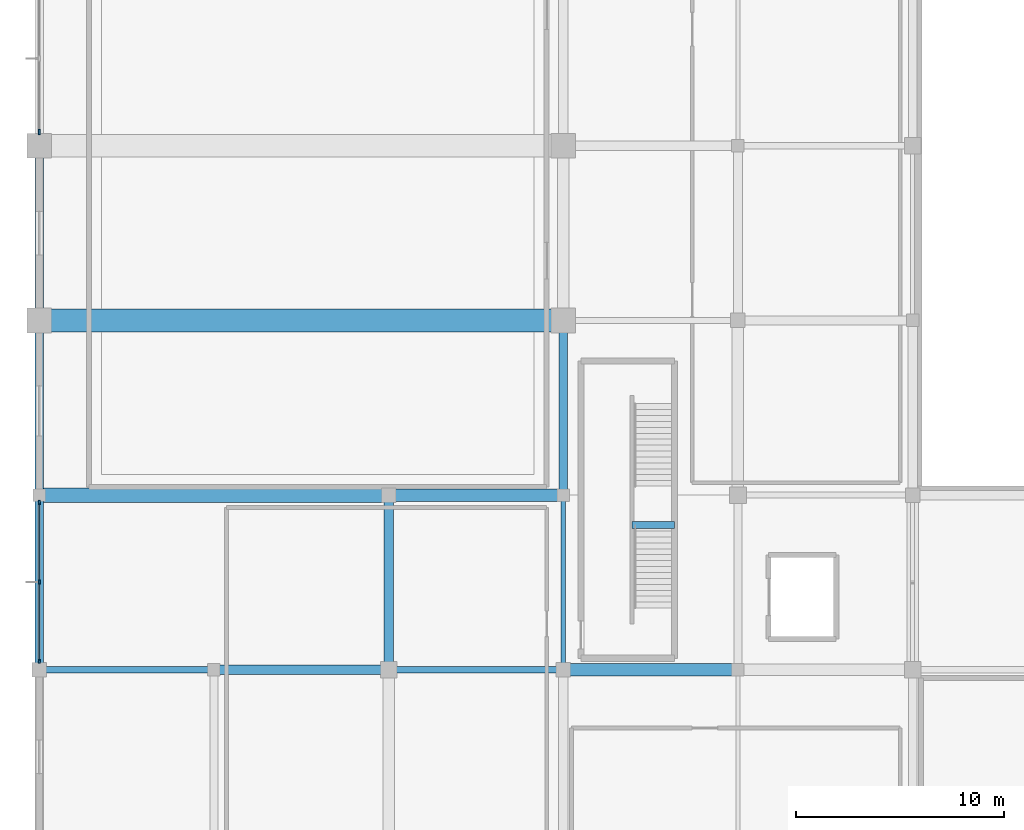
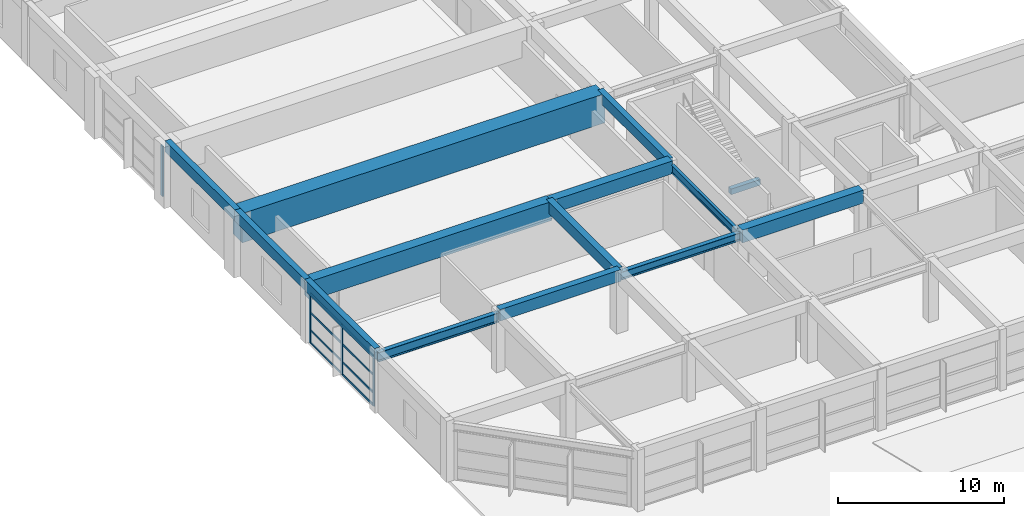
# One storey, part 11 of 60: 14 beams, 12 members, 2 elements without a shape of their own.
"""IFC4 building model written with IfcOpenShell, lengths in metres."""

from ifc_helpers import new_model, si_unit, direction, frame, origin, origin_2d, place, context, subcontext, project, spatial, rectangle, i_section, extrude, material, material_profile, profile_set, type_object, element, aggregate, save


model = new_model("IFC4")

# Units and contexts
model_context = context("Model", 3, precision=1e-05, world=origin(), true_north=direction((0.0, 1.0)))
body_context = subcontext(model_context, "Body", "Model", "MODEL_VIEW")
ifc_project = project(units=[si_unit("LENGTHUNIT", "METRE"), si_unit("AREAUNIT", "SQUARE_METRE"), si_unit("VOLUMEUNIT", "CUBIC_METRE"), si_unit("PLANEANGLEUNIT", "RADIAN"), si_unit("MASSUNIT", "GRAM", prefix="KILO")], contexts=[model_context])

# Site, building, storey
site_placement = place(None, origin())
site = spatial("IfcSite", under=ifc_project, at=site_placement, CompositionType="ELEMENT")
building_placement = place(site_placement, origin())
building = spatial("IfcBuilding", under=site, at=building_placement, Name="Xuanlan Plaza Opera House", CompositionType="ELEMENT")
storey_placement = place(building_placement, frame((0.0, 0.0, 9.89990234375)))
storey = spatial("IfcBuildingStorey", under=building, at=storey_placement, Name="L02", CompositionType="ELEMENT", Elevation=9.89990234375)

# Curtain wall, members
ifc_material_1 = material(Name="Anodised Aluminium 6063-T6 and Low-E Glass", Category="aluminium")
curtain_wall_type_1 = type_object("IfcCurtainWallType", Name="ENV-CW-CW-02", PredefinedType="USERDEFINED", material=ifc_material_1)
curtain_wall_1_placement = place(storey_placement, origin())
curtain_wall_1 = element("IfcCurtainWall", 1, at=curtain_wall_1_placement, inside=storey, type_object=curtain_wall_type_1, Name="Unitised Curtain Wall L02-054", ObjectType="UNITISED CURTAIN WALL", PredefinedType="USERDEFINED")
ifc_material_2 = material(Name="Anodised Aluminium 6063-T6", Category="aluminium")
ifc_material_profile_1 = material_profile(ifc_material_2, rectangle(XDim=0.074951171875, YDim=0.199951171875, at=origin_2d()), Name="ALU-M 75x200")
ifc_profile_set_1 = profile_set([ifc_material_profile_1], Name="Anodised Aluminium 6063-T6")
member_type_1 = type_object("IfcMemberType", Name="ENV-CWM-03", PredefinedType="MULLION", material=ifc_profile_set_1)
member_1_placement = place(storey_placement, frame((0.0, 41.642578125, 0.0), z_axis=(0.0, 0.0, 1.0), x_axis=(1.0, 0.0, 0.0)))
member_1 = element("IfcMember", 2, at=member_1_placement, type_object=member_type_1, Name="CW-02 mullion 1", PredefinedType="MULLION", context=body_context, shape_type="SweptSolid", body=[
    extrude(rectangle(XDim=0.074951171875, YDim=0.199951171875, at=origin_2d()), origin(), (0.0, 0.0, 1.0), 3.68017578125),
])
member_2_placement = place(storey_placement, frame((0.0, 37.824951171875, 0.0), z_axis=(0.0, 0.0, 1.0), x_axis=(1.0, 0.0, 0.0)))
member_2 = element("IfcMember", 3, at=member_2_placement, type_object=member_type_1, Name="CW-02 mullion 2", PredefinedType="MULLION", context=body_context, shape_type="SweptSolid", body=[
    extrude(rectangle(XDim=0.074951171875, YDim=0.199951171875, at=origin_2d()), origin(), (0.0, 0.0, 1.0), 3.68017578125),
])
member_3_placement = place(storey_placement, frame((0.0, 34.007568359375, 0.0), z_axis=(0.0, 0.0, 1.0), x_axis=(1.0, 0.0, 0.0)))
member_3 = element("IfcMember", 4, at=member_3_placement, type_object=member_type_1, Name="CW-02 mullion 3", PredefinedType="MULLION", context=body_context, shape_type="SweptSolid", body=[
    extrude(rectangle(XDim=0.074951171875, YDim=0.199951171875, at=origin_2d()), origin(), (0.0, 0.0, 1.0), 3.68017578125),
])

# Curtain wall, member
curtain_wall_type_2 = type_object("IfcCurtainWallType", Name="ENV-CW-CW-03", PredefinedType="USERDEFINED", material=ifc_material_1)
curtain_wall_2_placement = place(storey_placement, origin())
curtain_wall_2 = element("IfcCurtainWall", 5, at=curtain_wall_2_placement, inside=storey, type_object=curtain_wall_type_2, Name="Unitised Curtain Wall L02-051", ObjectType="UNITISED CURTAIN WALL", PredefinedType="USERDEFINED")
ifc_material_profile_2 = material_profile(ifc_material_2, rectangle(XDim=0.090087890625, YDim=0.25, at=origin_2d()), Name="ALU-M 90x250")
ifc_profile_set_2 = profile_set([ifc_material_profile_2], Name="Anodised Aluminium 6063-T6")
member_type_2 = type_object("IfcMemberType", Name="ENV-CWM-05", PredefinedType="MULLION", material=ifc_profile_set_2)
member_4_placement = place(storey_placement, frame((0.0, 59.465087890625, 0.0), z_axis=(0.0, 0.0, 1.0), x_axis=(1.0, 0.0, 0.0)))
member_4 = element("IfcMember", 6, at=member_4_placement, type_object=member_type_2, Name="CW-03 mullion 3", PredefinedType="MULLION", context=body_context, shape_type="SweptSolid", body=[
    extrude(rectangle(XDim=0.090087890625, YDim=0.25, at=origin_2d()), origin(), (0.0, 0.0, 1.0), 3.68017578125),
])
aggregate(curtain_wall_2, [member_4])

# Member
ifc_material_profile_3 = material_profile(ifc_material_2, rectangle(XDim=0.070068359375, YDim=0.135009765625, at=origin_2d()), Name="ALU-T 70x135")
ifc_profile_set_3 = profile_set([ifc_material_profile_3], Name="Anodised Aluminium 6063-T6")
member_type_3 = type_object("IfcMemberType", Name="ENV-CWT-02", PredefinedType="USERDEFINED", material=ifc_profile_set_3)
member_5_placement = place(storey_placement, frame((0.0, 41.60498046875, 0.03515625), z_axis=(0.0, -1.0, 0.0), x_axis=(1.0, 0.0, 0.0)))
member_5 = element("IfcMember", 7, at=member_5_placement, type_object=member_type_3, Name="CW-02 transom 1.1", ObjectType="TRANSOM", PredefinedType="USERDEFINED", context=body_context, shape_type="SweptSolid", body=[
    extrude(rectangle(XDim=0.070068359375, YDim=0.135009765625, at=origin_2d()), origin(), (0.0, 0.0, 1.0), 3.742431640625),
])

member_6_placement = place(storey_placement, frame((0.0, 41.60498046875, 0.9501953125), z_axis=(0.0, -1.0, 0.0), x_axis=(1.0, 0.0, 0.0)))
member_6 = element("IfcMember", 8, at=member_6_placement, type_object=member_type_3, Name="CW-02 transom 1.2", ObjectType="TRANSOM", PredefinedType="USERDEFINED", context=body_context, shape_type="SweptSolid", body=[
    extrude(rectangle(XDim=0.070068359375, YDim=0.135009765625, at=origin_2d()), origin(), (0.0, 0.0, 1.0), 3.742431640625),
])

member_7_placement = place(storey_placement, frame((0.0, 41.60498046875, 2.25), z_axis=(0.0, -1.0, 0.0), x_axis=(1.0, 0.0, 0.0)))
member_7 = element("IfcMember", 9, at=member_7_placement, type_object=member_type_3, Name="CW-02 transom 1.3", ObjectType="TRANSOM", PredefinedType="USERDEFINED", context=body_context, shape_type="SweptSolid", body=[
    extrude(rectangle(XDim=0.070068359375, YDim=0.135009765625, at=origin_2d()), origin(), (0.0, 0.0, 1.0), 3.742431640625),
])

member_8_placement = place(storey_placement, frame((0.0, 41.60498046875, 3.64501953125), z_axis=(0.0, -1.0, 0.0), x_axis=(1.0, 0.0, 0.0)))
member_8 = element("IfcMember", 10, at=member_8_placement, type_object=member_type_3, Name="CW-02 transom 1.4", ObjectType="TRANSOM", PredefinedType="USERDEFINED", context=body_context, shape_type="SweptSolid", body=[
    extrude(rectangle(XDim=0.070068359375, YDim=0.135009765625, at=origin_2d()), origin(), (0.0, 0.0, 1.0), 3.742431640625),
])

member_9_placement = place(storey_placement, frame((0.0, 37.78759765625, 0.03515625), z_axis=(0.0, -1.0, 0.0), x_axis=(1.0, 0.0, 0.0)))
member_9 = element("IfcMember", 11, at=member_9_placement, type_object=member_type_3, Name="CW-02 transom 2.1", ObjectType="TRANSOM", PredefinedType="USERDEFINED", context=body_context, shape_type="SweptSolid", body=[
    extrude(rectangle(XDim=0.070068359375, YDim=0.135009765625, at=origin_2d()), origin(), (0.0, 0.0, 1.0), 3.74267578125),
])

member_10_placement = place(storey_placement, frame((0.0, 37.78759765625, 0.9501953125), z_axis=(0.0, -1.0, 0.0), x_axis=(1.0, 0.0, 0.0)))
member_10 = element("IfcMember", 12, at=member_10_placement, type_object=member_type_3, Name="CW-02 transom 2.2", ObjectType="TRANSOM", PredefinedType="USERDEFINED", context=body_context, shape_type="SweptSolid", body=[
    extrude(rectangle(XDim=0.070068359375, YDim=0.135009765625, at=origin_2d()), origin(), (0.0, 0.0, 1.0), 3.74267578125),
])

member_11_placement = place(storey_placement, frame((0.0, 37.78759765625, 2.25), z_axis=(0.0, -1.0, 0.0), x_axis=(1.0, 0.0, 0.0)))
member_11 = element("IfcMember", 13, at=member_11_placement, type_object=member_type_3, Name="CW-02 transom 2.3", ObjectType="TRANSOM", PredefinedType="USERDEFINED", context=body_context, shape_type="SweptSolid", body=[
    extrude(rectangle(XDim=0.070068359375, YDim=0.135009765625, at=origin_2d()), origin(), (0.0, 0.0, 1.0), 3.74267578125),
])

member_12_placement = place(storey_placement, frame((0.0, 37.78759765625, 3.64501953125), z_axis=(0.0, -1.0, 0.0), x_axis=(1.0, 0.0, 0.0)))
member_12 = element("IfcMember", 14, at=member_12_placement, type_object=member_type_3, Name="CW-02 transom 2.4", ObjectType="TRANSOM", PredefinedType="USERDEFINED", context=body_context, shape_type="SweptSolid", body=[
    extrude(rectangle(XDim=0.070068359375, YDim=0.135009765625, at=origin_2d()), origin(), (0.0, 0.0, 1.0), 3.74267578125),
])

aggregate(curtain_wall_1, [member_1, member_2, member_3, member_5, member_6, member_7, member_8, member_9, member_10, member_11, member_12])

# Beams
ifc_material_3 = material(Name="Concrete C50", Category="concrete")
ifc_material_profile_4 = material_profile(ifc_material_3, rectangle(XDim=0.60009765625, YDim=0.949951171875, at=origin_2d()), Name="RC-BM 600x950")
ifc_profile_set_4 = profile_set([ifc_material_profile_4], Name="Concrete C50")
beam_type_1 = type_object("IfcBeamType", Name="STR-BM-B-01", PredefinedType="BEAM", material=ifc_profile_set_4)
beam_1_placement = place(storey_placement, frame((25.199951171875, 33.60009765625, 4.025146484375), z_axis=(1.0, 0.0, 0.0), x_axis=(0.0, 1.0, 0.0)))
element("IfcBeam", 15, at=beam_1_placement, inside=storey, type_object=beam_type_1, Name="Grid Beam X L02 4-5/E", PredefinedType="BEAM", context=body_context, shape_type="SweptSolid", body=[
    extrude(rectangle(XDim=0.60009765625, YDim=0.949951171875, at=origin_2d()), origin(), (0.0, 0.0, 1.0), 8.400146484375),
])
beam_2_placement = place(storey_placement, frame((16.800048828125, 42.0, 4.025146484375), z_axis=(1.0, 0.0, 0.0), x_axis=(0.0, 1.0, 0.0)))
element("IfcBeam", 16, at=beam_2_placement, inside=storey, type_object=beam_type_1, Name="Grid Beam X L02 3-4/F", PredefinedType="BEAM", context=body_context, shape_type="SweptSolid", body=[
    extrude(rectangle(XDim=0.60009765625, YDim=0.949951171875, at=origin_2d()), origin(), (0.0, 0.0, 1.0), 8.39990234375),
])
ifc_material_4 = material(Name="Concrete C40", Category="concrete")
ifc_material_profile_5 = material_profile(ifc_material_4, rectangle(XDim=0.449951171875, YDim=0.85009765625, at=origin_2d()), Name="RC-BM 450x850")
ifc_profile_set_5 = profile_set([ifc_material_profile_5], Name="Concrete C40")
beam_type_2 = type_object("IfcBeamType", Name="STR-BM-B-04", PredefinedType="BEAM", material=ifc_profile_set_5)
beam_3_placement = place(storey_placement, frame((8.39990234375, 33.60009765625, 4.0751953125), z_axis=(1.0, 0.0, 0.0), x_axis=(0.0, 1.0, 0.0)))
element("IfcBeam", 17, at=beam_3_placement, inside=storey, type_object=beam_type_2, Name="Grid Beam X L02 2-3/E", PredefinedType="BEAM", context=body_context, shape_type="SweptSolid", body=[
    extrude(rectangle(XDim=0.449951171875, YDim=0.85009765625, at=origin_2d()), origin(), (0.0, 0.0, 1.0), 8.400146484375),
])
beam_4_placement = place(storey_placement, frame((16.800048828125, 33.60009765625, 4.0751953125), z_axis=(0.0, 1.0, 0.0), x_axis=(-1.0, 0.0, 0.0)))
element("IfcBeam", 18, at=beam_4_placement, inside=storey, type_object=beam_type_2, Name="Grid Beam Y L02 3/E-F", PredefinedType="BEAM", context=body_context, shape_type="SweptSolid", body=[
    extrude(rectangle(XDim=0.449951171875, YDim=0.85009765625, at=origin_2d()), origin(), (0.0, 0.0, 1.0), 8.39990234375),
])
ifc_material_profile_6 = material_profile(ifc_material_4, rectangle(XDim=0.39990234375, YDim=0.75, at=origin_2d()), Name="RC-BM 400x750")
ifc_profile_set_6 = profile_set([ifc_material_profile_6], Name="Concrete C40")
beam_type_3 = type_object("IfcBeamType", Name="STR-BM-B-06", PredefinedType="BEAM", material=ifc_profile_set_6)
beam_5_placement = place(storey_placement, frame((25.199951171875, 42.0, 4.125), z_axis=(0.0, 1.0, 0.0), x_axis=(-1.0, 0.0, 0.0)))
element("IfcBeam", 19, at=beam_5_placement, inside=storey, type_object=beam_type_3, Name="Grid Beam Y L02 4/F-G", PredefinedType="BEAM", context=body_context, shape_type="SweptSolid", body=[
    extrude(rectangle(XDim=0.39990234375, YDim=0.75, at=origin_2d()), origin(), (0.0, 0.0, 1.0), 8.39990234375),
])
ifc_material_profile_7 = material_profile(ifc_material_3, rectangle(XDim=0.699951171875, YDim=1.39990234375, at=origin_2d()), Name="RC-LG 700x1400")
ifc_profile_set_7 = profile_set([ifc_material_profile_7], Name="Concrete C50")
beam_type_4 = type_object("IfcBeamType", Name="STR-BM-LG-01", PredefinedType="BEAM", material=ifc_profile_set_7)
beam_6_placement = place(storey_placement, frame((0.0, 42.0, 3.800048828125), z_axis=(1.0, 0.0, 0.0), x_axis=(0.0, 1.0, 0.0)))
element("IfcBeam", 20, at=beam_6_placement, inside=storey, type_object=beam_type_4, Name="Grid Beam X L02 1-3/F", PredefinedType="BEAM", context=body_context, shape_type="SweptSolid", body=[
    extrude(rectangle(XDim=0.699951171875, YDim=1.39990234375, at=origin_2d()), origin(), (0.0, 0.0, 1.0), 16.800048828125),
])
ifc_material_5 = material(Name="Concrete C60", Category="concrete")
ifc_material_profile_8 = material_profile(ifc_material_5, rectangle(XDim=1.10009765625, YDim=2.14990234375, at=origin_2d()), Name="RC-TG 1100x2150")
ifc_profile_set_8 = profile_set([ifc_material_profile_8], Name="Concrete C60")
beam_type_5 = type_object("IfcBeamType", Name="STR-BM-LG-03", PredefinedType="BEAM", material=ifc_profile_set_8)
beam_7_placement = place(storey_placement, frame((0.0, 50.39990234375, 3.425048828125), z_axis=(1.0, 0.0, 0.0), x_axis=(0.0, 1.0, 0.0)))
element("IfcBeam", 21, at=beam_7_placement, inside=storey, type_object=beam_type_5, Name="Grid Beam X L02 1-4/G", PredefinedType="BEAM", context=body_context, shape_type="SweptSolid", body=[
    extrude(rectangle(XDim=1.10009765625, YDim=2.14990234375, at=origin_2d()), origin(), (0.0, 0.0, 1.0), 25.199951171875),
])
ifc_material_profile_9 = material_profile(ifc_material_4, rectangle(XDim=0.320068359375, YDim=0.419921875, at=origin_2d()), Name="RC-LNT 320x420")
ifc_profile_set_9 = profile_set([ifc_material_profile_9], Name="Concrete C40")
beam_type_6 = type_object("IfcBeamType", Name="STR-BM-LN-04", PredefinedType="LINTEL", material=ifc_profile_set_9)
beam_8_placement = place(storey_placement, frame((28.5, 40.56005859375, 1.840087890625), z_axis=(1.0, 0.0, 0.0), x_axis=(0.0, 1.0, 0.0)))
element("IfcBeam", 22, at=beam_8_placement, inside=storey, type_object=beam_type_6, Name="Stair Mid-Landing Trimmer Beam ST-P1 L02", PredefinedType="LINTEL", context=body_context, shape_type="SweptSolid", body=[
    extrude(rectangle(XDim=0.320068359375, YDim=0.419921875, at=origin_2d()), origin(), (0.0, 0.0, 1.0), 2.050048828125),
])
ifc_material_6 = material(Name="Steel Q355B", Category="steel")
ifc_material_profile_10 = material_profile(ifc_material_6, i_section(OverallWidth=0.300048828125, OverallDepth=0.699951171875, WebThickness=0.012939453125, FlangeThickness=0.02392578125, FilletRadius=0.02392578125, at=origin_2d()), Name="HN 700x300x13x24")
ifc_profile_set_10 = profile_set([ifc_material_profile_10], Name="Steel Q355B")
beam_type_7 = type_object("IfcBeamType", Name="STR-BM-SB-03", PredefinedType="BEAM", material=ifc_profile_set_10)
beam_9_placement = place(storey_placement, frame((0.0, 33.60009765625, 3.885009765625), z_axis=(1.0, 0.0, 0.0), x_axis=(0.0, 1.0, 0.0)))
element("IfcBeam", 23, at=beam_9_placement, inside=storey, type_object=beam_type_7, Name="Grid Beam X L02 1-2/E", PredefinedType="BEAM", context=body_context, shape_type="SweptSolid", body=[
    extrude(i_section(OverallWidth=0.300048828125, OverallDepth=0.699951171875, WebThickness=0.012939453125, FlangeThickness=0.02392578125, FilletRadius=0.02392578125, at=origin_2d()), origin(), (0.0, 0.0, 1.0), 8.39990234375),
])
ifc_material_profile_11 = material_profile(ifc_material_6, i_section(OverallWidth=0.199951171875, OverallDepth=0.60009765625, WebThickness=0.010986328125, FlangeThickness=0.01708984375, FilletRadius=0.02197265625, at=origin_2d()), Name="HN 600x200x11x17")
ifc_profile_set_11 = profile_set([ifc_material_profile_11], Name="Steel Q355B")
beam_type_8 = type_object("IfcBeamType", Name="STR-BM-SB-04", PredefinedType="BEAM", material=ifc_profile_set_11)
beam_10_placement = place(storey_placement, frame((25.199951171875, 33.60009765625, 3.93505859375), z_axis=(0.0, 1.0, 0.0), x_axis=(-1.0, 0.0, 0.0)))
element("IfcBeam", 24, at=beam_10_placement, inside=storey, type_object=beam_type_8, Name="Grid Beam Y L02 4/E-F", PredefinedType="BEAM", context=body_context, shape_type="SweptSolid", body=[
    extrude(i_section(OverallWidth=0.199951171875, OverallDepth=0.60009765625, WebThickness=0.010986328125, FlangeThickness=0.01708984375, FilletRadius=0.02197265625, at=origin_2d()), origin(), (0.0, 0.0, 1.0), 8.39990234375),
])
ifc_material_profile_12 = material_profile(ifc_material_6, i_section(OverallWidth=0.300048828125, OverallDepth=0.587890625, WebThickness=0.011962890625, FlangeThickness=0.02001953125, FilletRadius=0.02392578125, at=origin_2d()), Name="HM 588x300x12x20")
ifc_profile_set_12 = profile_set([ifc_material_profile_12], Name="Steel Q355B")
beam_type_9 = type_object("IfcBeamType", Name="STR-BM-SB-06", PredefinedType="BEAM", material=ifc_profile_set_12)
beam_11_placement = place(storey_placement, frame((16.800048828125, 33.60009765625, 3.941162109375), z_axis=(1.0, 0.0, 0.0), x_axis=(0.0, 1.0, 0.0)))
element("IfcBeam", 25, at=beam_11_placement, inside=storey, type_object=beam_type_9, Name="Grid Beam X L02 3-4/E", PredefinedType="BEAM", context=body_context, shape_type="SweptSolid", body=[
    extrude(i_section(OverallWidth=0.300048828125, OverallDepth=0.587890625, WebThickness=0.011962890625, FlangeThickness=0.02001953125, FilletRadius=0.02392578125, at=origin_2d()), origin(), (0.0, 0.0, 1.0), 8.39990234375),
])
ifc_material_profile_13 = material_profile(ifc_material_4, rectangle(XDim=0.39990234375, YDim=0.800048828125, at=origin_2d()), Name="RC-SPD 400x800")
ifc_profile_set_13 = profile_set([ifc_material_profile_13], Name="Concrete C40")
beam_type_10 = type_object("IfcBeamType", Name="STR-BM-SP-01", PredefinedType="SPANDREL", material=ifc_profile_set_13)
for number, where, z_axis, x_axis, name in (
    (26, (0.0, 33.60009765625, 4.10009765625), (0.0, 1.0, 0.0), (-1.0, 0.0, 0.0), "Grid Beam Y L02 1/E-F"),
    (27, (0.0, 42.0, 4.10009765625), (0.0, 1.0, 0.0), (-1.0, 0.0, 0.0), "Grid Beam Y L02 1/F-G"),
):
    element("IfcBeam", number, at=place(storey_placement, frame(where, z_axis=z_axis, x_axis=x_axis)), inside=storey, type_object=beam_type_10, Name=name, PredefinedType="SPANDREL", context=body_context, shape_type="SweptSolid", body=[
        extrude(rectangle(XDim=0.39990234375, YDim=0.800048828125, at=origin_2d()), origin(), (0.0, 0.0, 1.0), 8.39990234375),
    ])
beam_12_placement = place(storey_placement, frame((0.0, 50.39990234375, 4.10009765625), z_axis=(0.0, 1.0, 0.0), x_axis=(-1.0, 0.0, 0.0)))
element("IfcBeam", 28, at=beam_12_placement, inside=storey, type_object=beam_type_10, Name="Grid Beam Y L02 1/G-H", PredefinedType="SPANDREL", context=body_context, shape_type="SweptSolid", body=[
    extrude(rectangle(XDim=0.39990234375, YDim=0.800048828125, at=origin_2d()), origin(), (0.0, 0.0, 1.0), 8.400146484375),
])

save(model, "model.ifc")
